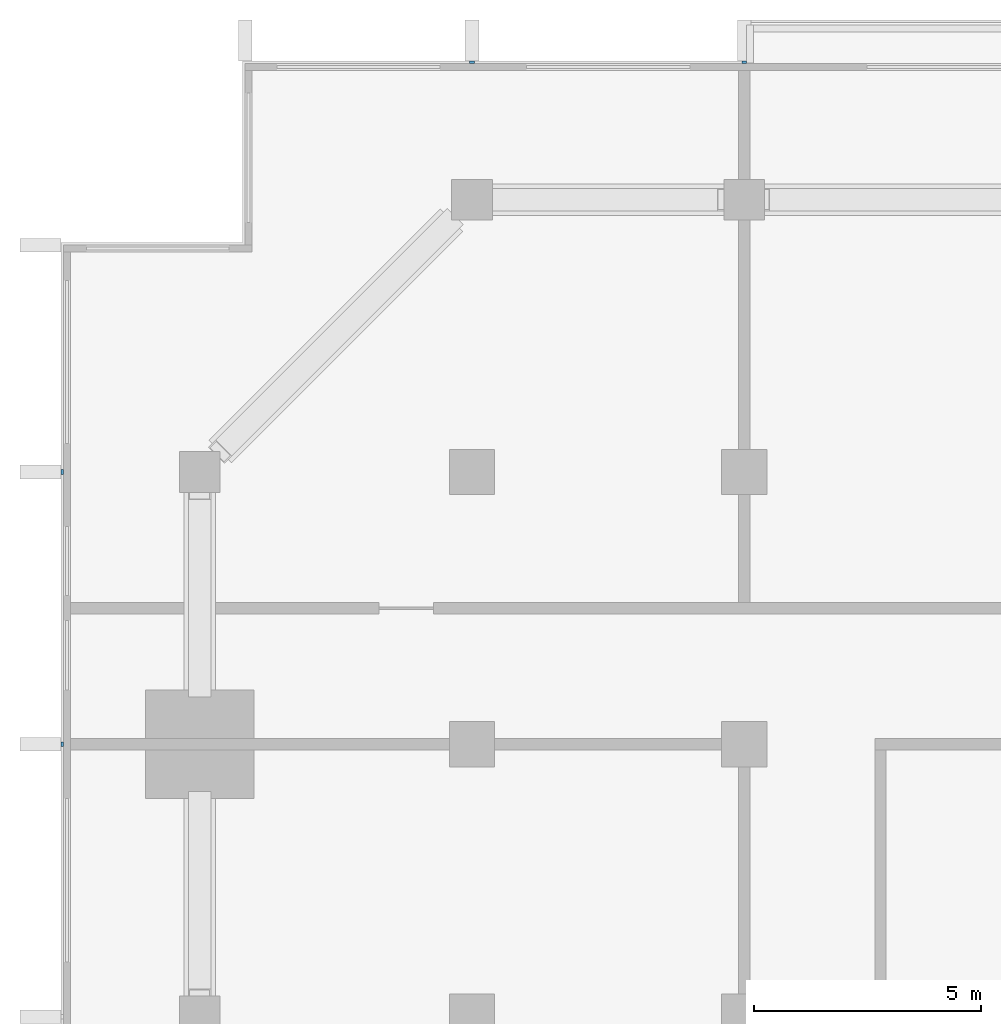
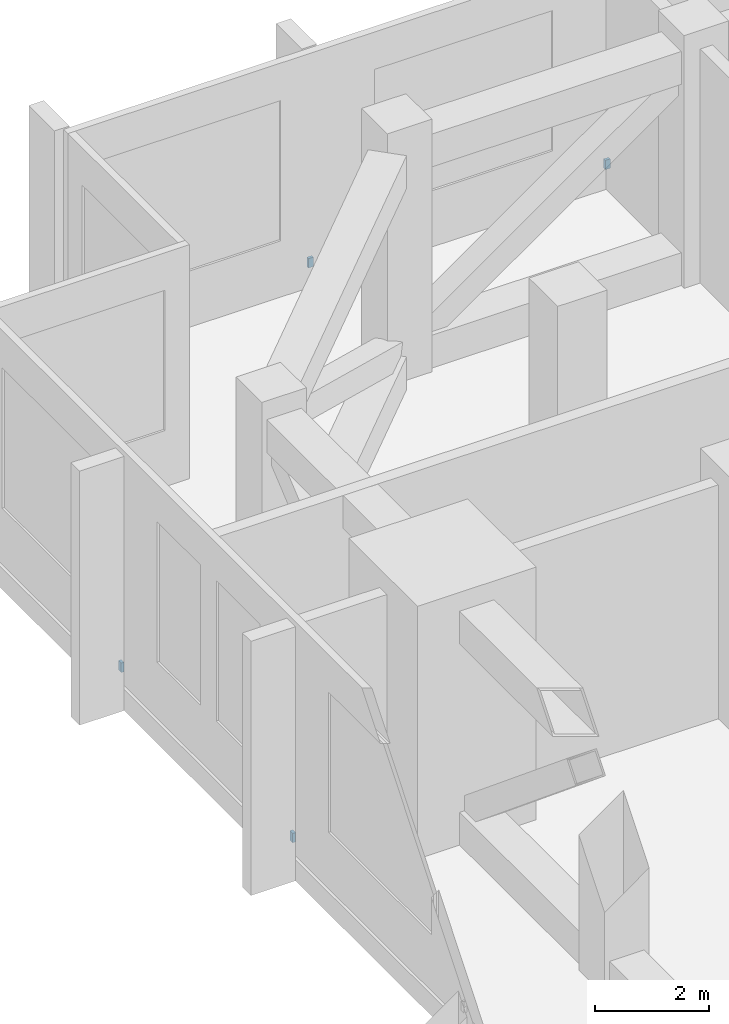
# One storey, part 8 of 11: 4 discrete accessories.
"""IFC4 building model written with IfcOpenShell, lengths in metres."""

import ifcopenshell
import ifcopenshell.guid

model = None  # the IFC model being written
_history = None  # IfcOwnerHistory: only IFC2X3 demands one
_inside = {}  # id of a spatial element -> (the spatial element, [elements in it])
_under = {}  # id of a project, library or spatial element -> (it, [spatial elements below it])
_declared = {}  # id of a project -> (the project, [libraries it declares])
_typed = {}  # id of a type object -> (the type object, [elements of that type])
_made_of = {}  # id of a material, layer set ... -> (it, [elements and type objects made of it])


def new_model(schema):
    """Start an empty IFC model of exactly this schema.

    Asked for "IFC4X3", IfcOpenShell would pick the latest addendum, in which some entities
    have other attributes; the version numbers below select the first issue.
    IFC2X3 requires an IfcOwnerHistory on every rooted entity: one is made here for all.
    """
    global model, _history
    if schema == "IFC4X3":
        model = ifcopenshell.file(schema_version=(4, 3, 0, 0))
    else:
        model = ifcopenshell.file(schema=schema)
    _inside.clear()
    _under.clear()
    _declared.clear()
    _typed.clear()
    _made_of.clear()
    _history = None
    if model.schema == "IFC2X3":
        org = make("IfcOrganization", Name="unknown")
        user = make(
            "IfcPersonAndOrganization",
            ThePerson=make("IfcPerson", FamilyName="unknown"),
            TheOrganization=org,
        )
        app = make(
            "IfcApplication",
            ApplicationDeveloper=org,
            Version="unknown",
            ApplicationFullName="unknown",
            ApplicationIdentifier="unknown",
        )
        _history = make(
            "IfcOwnerHistory",
            OwningUser=user,
            OwningApplication=app,
            ChangeAction="ADDED",
            CreationDate=0,
        )
    return model


def make(cls, **values):
    """One entity of the class cls with the attributes given. An attribute that is None is left unset."""
    return model.create_entity(
        cls, **{name: value for name, value in values.items() if value is not None}
    )


def rooted(cls, **values):
    """An entity with a GlobalId (a new one), such as an element, a storey or a relation."""
    return make(cls, GlobalId=ifcopenshell.guid.new(), OwnerHistory=_history, **values)


def si_unit(unit_type, name, prefix=None):
    """IfcSIUnit, for example si_unit("LENGTHUNIT", "METRE", prefix="MILLI")."""
    return make("IfcSIUnit", UnitType=unit_type, Prefix=prefix, Name=name)


def assignment(units):
    """IfcUnitAssignment: the units of a project."""
    return None if units is None else make("IfcUnitAssignment", Units=units)


def point(xyz):
    """IfcCartesianPoint."""
    return None if xyz is None else make("IfcCartesianPoint", Coordinates=xyz)


def direction(xyz):
    """IfcDirection."""
    return None if xyz is None else make("IfcDirection", DirectionRatios=xyz)


def frame(location, z_axis=None, x_axis=None):
    """IfcAxis2Placement3D, a coordinate frame: its origin and axes. An axis left out is left unset."""
    return make(
        "IfcAxis2Placement3D",
        Location=point(location),
        Axis=direction(z_axis),
        RefDirection=direction(x_axis),
    )


def frame_2d(location, x_axis=None):
    """IfcAxis2Placement2D, a coordinate frame in the plane: its origin and x axis."""
    return make(
        "IfcAxis2Placement2D", Location=point(location), RefDirection=direction(x_axis)
    )


def origin():
    """The frame at (0, 0, 0) with its axes left unset."""
    return frame((0.0, 0.0, 0.0))


def origin_2d():
    """The frame at (0, 0) in the plane with its x axis left unset."""
    return frame_2d((0.0, 0.0))


def place(relative_to, where):
    """IfcLocalPlacement: puts the frame where relative to a parent placement (None: the world)."""
    return make(
        "IfcLocalPlacement", PlacementRelTo=relative_to, RelativePlacement=where
    )


def context(
    kind, dimensions, precision=None, world=None, true_north=None, identifier=None
):
    """IfcGeometricRepresentationContext, for example the 3D "Model" context."""
    return make(
        "IfcGeometricRepresentationContext",
        ContextIdentifier=identifier,
        ContextType=kind,
        CoordinateSpaceDimension=dimensions,
        Precision=precision,
        WorldCoordinateSystem=world,
        TrueNorth=true_north,
    )


def subcontext(parent, identifier, kind, view, scale=None):
    """IfcGeometricRepresentationSubContext, for example "Body" below "Model"."""
    return make(
        "IfcGeometricRepresentationSubContext",
        ContextIdentifier=identifier,
        ContextType=kind,
        ParentContext=parent,
        TargetScale=scale,
        TargetView=view,
    )


def project(units=None, contexts=None):
    """IfcProject with its units and contexts."""
    return rooted(
        "IfcProject",
        Name="project",
        RepresentationContexts=contexts,
        UnitsInContext=assignment(units),
    )


def spatial(cls, under=None, at=None, **own):
    """A site, building, storey or space (cls), placed at a placement, below another one or the project."""
    s = rooted(cls, ObjectPlacement=at, **own)
    if under is not None:
        _under.setdefault(under.id(), (under, []))[1].append(s)
    return s


def profile(cls, at=None, kind="AREA", **sizes):
    """A parametric profile (cls). Its sizes go by their IFC names, for example OverallWidth=200.0."""
    return make(cls, ProfileType=kind, Position=at, **sizes)


def rectangle(**sizes):
    """IfcRectangleProfileDef."""
    return profile("IfcRectangleProfileDef", **sizes)


def extrude(swept, where, along, depth):
    """IfcExtrudedAreaSolid: the profile swept, set in the frame where, extruded along a direction by depth."""
    return make(
        "IfcExtrudedAreaSolid",
        SweptArea=swept,
        Position=where,
        ExtrudedDirection=direction(along),
        Depth=depth,
    )


def shape(context_of_items, identifier, shape_type, items):
    """IfcShapeRepresentation: the items that make up one representation, for example the "Body"."""
    return make(
        "IfcShapeRepresentation",
        ContextOfItems=context_of_items,
        RepresentationIdentifier=identifier,
        RepresentationType=shape_type,
        Items=items,
    )


def material(Name=None, Category=None):
    """IfcMaterial."""
    return make("IfcMaterial", Name=Name, Category=Category)


def made_of(thing, what):
    """Note that an element or type object is made of a material, layer set ...; save() writes the relation."""
    if what is not None:
        _made_of.setdefault(what.id(), (what, []))[1].append(thing)
    return thing


def type_object(cls, material=None, **own):
    """A type object (cls), such as IfcWallType, which elements share."""
    return made_of(rooted(cls, **own), material)


def element(
    cls,
    number,
    at=None,
    inside=None,
    cuts=None,
    type_object=None,
    material=None,
    context=None,
    identifier="Body",
    shape_type=None,
    held_by="IfcProductDefinitionShape",
    body=None,
    shapes=None,
    **own,
):
    """One element of the class cls, such as IfcWall. Its Tag is "e" and its number.

    at: its placement. inside: the storey or other place that contains it. cuts: it is an
    opening in that element (IfcRelVoidsElement). A single representation is given by context,
    identifier, shape_type and body (its items); several are given by shapes. held_by: the class
    of the entity that holds the representations. save() writes the other relations.
    """
    e = rooted(cls, Tag="e%d" % number, ObjectPlacement=at, **own)
    if body is not None:
        shapes = [shape(context, identifier, shape_type, body)]
    if shapes is not None:
        e.Representation = make(held_by, Representations=shapes)
    if inside is not None:
        _inside.setdefault(inside.id(), (inside, []))[1].append(e)
    if cuts is not None:
        rooted(
            "IfcRelVoidsElement", RelatingBuildingElement=cuts, RelatedOpeningElement=e
        )
    if type_object is not None:
        _typed.setdefault(type_object.id(), (type_object, []))[1].append(e)
    return made_of(e, material)


def aggregate(whole, parts):
    """IfcRelAggregates: a whole, such as a stair, and the parts it consists of."""
    return rooted("IfcRelAggregates", RelatingObject=whole, RelatedObjects=parts)


def save(model, path):
    """Write the relations noted so far, then the file.

    IfcRelAggregates (storeys below a building ...), IfcRelContainedInSpatialStructure (elements
    in a storey), IfcRelDefinesByType, IfcRelAssociatesMaterial and IfcRelDeclares: one each for
    every whole, place, type object, material and project.
    """
    for whole, parts in _under.values():
        aggregate(whole, parts)
    for where, things in _inside.values():
        rooted(
            "IfcRelContainedInSpatialStructure",
            RelatedElements=things,
            RelatingStructure=where,
        )
    for kind, things in _typed.values():
        rooted("IfcRelDefinesByType", RelatedObjects=things, RelatingType=kind)
    for what, things in _made_of.values():
        rooted("IfcRelAssociatesMaterial", RelatedObjects=things, RelatingMaterial=what)
    for by, libraries in _declared.values():
        rooted("IfcRelDeclares", RelatingContext=by, RelatedDefinitions=libraries)
    model.write(path)


model = new_model("IFC4")

# Units and contexts
model_context = context("Model", 3, precision=1e-05, world=origin(), true_north=direction((0.0, 1.0)))
body_context = subcontext(model_context, "Body", "Model", "MODEL_VIEW")
ifc_project = project(units=[si_unit("LENGTHUNIT", "METRE"), si_unit("AREAUNIT", "SQUARE_METRE"), si_unit("VOLUMEUNIT", "CUBIC_METRE"), si_unit("PLANEANGLEUNIT", "RADIAN"), si_unit("MASSUNIT", "GRAM", prefix="KILO")], contexts=[model_context])

# Site, building, storey
site_placement = place(None, origin())
site = spatial("IfcSite", under=ifc_project, at=site_placement, CompositionType="ELEMENT")
building_placement = place(site_placement, origin())
building = spatial("IfcBuilding", under=site, at=building_placement, Name="Finial Court Residences", CompositionType="ELEMENT")
storey_placement = place(building_placement, frame((0.0, 0.0, 199.699951171875)))
storey = spatial("IfcBuildingStorey", under=building, at=storey_placement, Name="L50", CompositionType="ELEMENT", Elevation=199.699951171875)

# Discrete accessories
ifc_material = material(Name="Stainless steel 316", Category="steel")
discrete_accessory_type = type_object("IfcDiscreteAccessoryType", Name="Fin bracket, stainless steel 100 x 60 x 200", PredefinedType="BRACKET", material=ifc_material)
for number, where, z_axis, x_axis, name in (
    (1, (-10.5, 22.530029296875, 0.30029296875), (0.0, 0.0, 1.0), (1.0, 0.0, 0.0), "E-L50-FIN-N2-BRK"),
    (2, (-4.5, 22.530029296875, 0.30029296875), (0.0, 0.0, 1.0), (1.0, 0.0, 0.0), "E-L50-FIN-N3-BRK"),
):
    element("IfcDiscreteAccessory", number, at=place(storey_placement, frame(where, z_axis=z_axis, x_axis=x_axis)), inside=storey, type_object=discrete_accessory_type, Name=name, PredefinedType="BRACKET", context=body_context, shape_type="SweptSolid", body=[
        extrude(rectangle(XDim=0.10009765625, YDim=0.06005859375, at=origin_2d()), origin(), (0.0, 0.0, 1.0), 0.199951171875),
    ])
for number, where, z_axis, x_axis, name in (
    (3, (-19.530029296875, 7.5, 0.30029296875), (0.0, 0.0, 1.0), (1.0, 0.0, 0.0), "E-L50-FIN-W26-BRK"),
    (4, (-19.530029296875, 13.5, 0.30029296875), (0.0, 0.0, 1.0), (1.0, 0.0, 0.0), "E-L50-FIN-W27-BRK"),
):
    element("IfcDiscreteAccessory", number, at=place(storey_placement, frame(where, z_axis=z_axis, x_axis=x_axis)), inside=storey, type_object=discrete_accessory_type, Name=name, PredefinedType="BRACKET", context=body_context, shape_type="SweptSolid", body=[
        extrude(rectangle(XDim=0.06005859375, YDim=0.10009765625, at=origin_2d()), origin(), (0.0, 0.0, 1.0), 0.199951171875),
    ])

save(model, "model.ifc")
